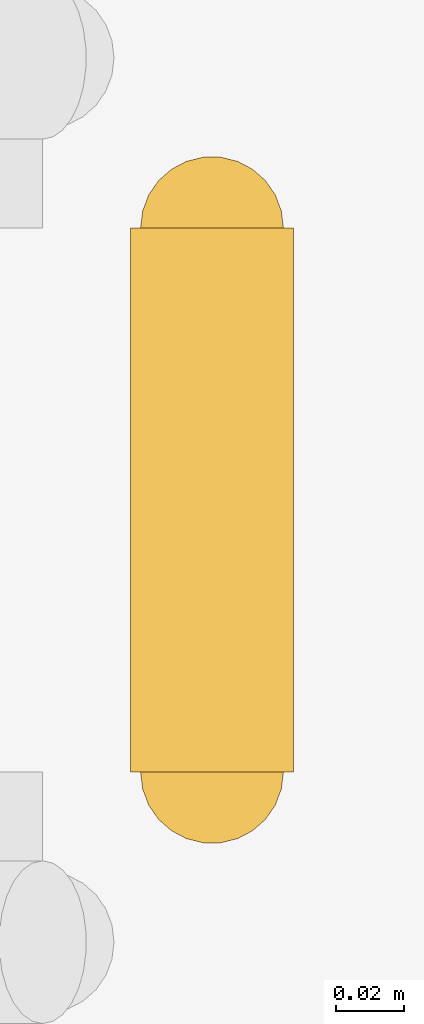
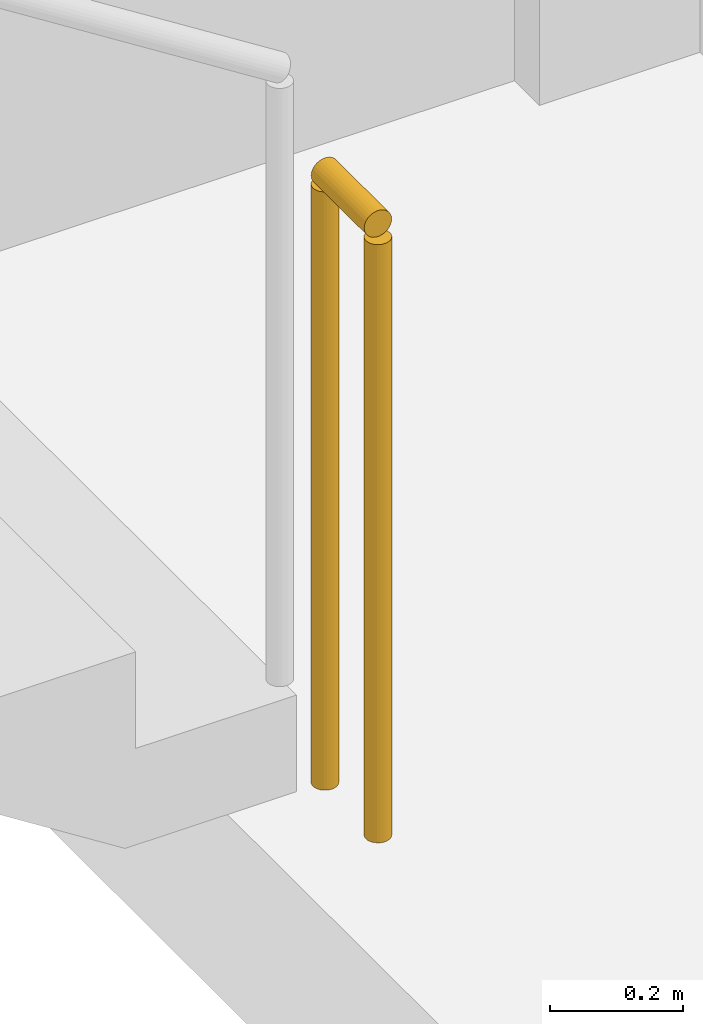
# One storey, part 18 of 20: 1 railing.
"""IFC4 building model written with IfcOpenShell, lengths in metres."""

import ifcopenshell
import ifcopenshell.guid

model = None  # the IFC model being written
_history = None  # IfcOwnerHistory: only IFC2X3 demands one
_inside = {}  # id of a spatial element -> (the spatial element, [elements in it])
_under = {}  # id of a project, library or spatial element -> (it, [spatial elements below it])
_declared = {}  # id of a project -> (the project, [libraries it declares])
_typed = {}  # id of a type object -> (the type object, [elements of that type])
_made_of = {}  # id of a material, layer set ... -> (it, [elements and type objects made of it])


def new_model(schema):
    """Start an empty IFC model of exactly this schema.

    Asked for "IFC4X3", IfcOpenShell would pick the latest addendum, in which some entities
    have other attributes; the version numbers below select the first issue.
    IFC2X3 requires an IfcOwnerHistory on every rooted entity: one is made here for all.
    """
    global model, _history
    if schema == "IFC4X3":
        model = ifcopenshell.file(schema_version=(4, 3, 0, 0))
    else:
        model = ifcopenshell.file(schema=schema)
    _inside.clear()
    _under.clear()
    _declared.clear()
    _typed.clear()
    _made_of.clear()
    _history = None
    if model.schema == "IFC2X3":
        org = make("IfcOrganization", Name="unknown")
        user = make(
            "IfcPersonAndOrganization",
            ThePerson=make("IfcPerson", FamilyName="unknown"),
            TheOrganization=org,
        )
        app = make(
            "IfcApplication",
            ApplicationDeveloper=org,
            Version="unknown",
            ApplicationFullName="unknown",
            ApplicationIdentifier="unknown",
        )
        _history = make(
            "IfcOwnerHistory",
            OwningUser=user,
            OwningApplication=app,
            ChangeAction="ADDED",
            CreationDate=0,
        )
    return model


def make(cls, **values):
    """One entity of the class cls with the attributes given. An attribute that is None is left unset."""
    return model.create_entity(
        cls, **{name: value for name, value in values.items() if value is not None}
    )


def rooted(cls, **values):
    """An entity with a GlobalId (a new one), such as an element, a storey or a relation."""
    return make(cls, GlobalId=ifcopenshell.guid.new(), OwnerHistory=_history, **values)


def si_unit(unit_type, name, prefix=None):
    """IfcSIUnit, for example si_unit("LENGTHUNIT", "METRE", prefix="MILLI")."""
    return make("IfcSIUnit", UnitType=unit_type, Prefix=prefix, Name=name)


def assignment(units):
    """IfcUnitAssignment: the units of a project."""
    return None if units is None else make("IfcUnitAssignment", Units=units)


def point(xyz):
    """IfcCartesianPoint."""
    return None if xyz is None else make("IfcCartesianPoint", Coordinates=xyz)


def direction(xyz):
    """IfcDirection."""
    return None if xyz is None else make("IfcDirection", DirectionRatios=xyz)


def frame(location, z_axis=None, x_axis=None):
    """IfcAxis2Placement3D, a coordinate frame: its origin and axes. An axis left out is left unset."""
    return make(
        "IfcAxis2Placement3D",
        Location=point(location),
        Axis=direction(z_axis),
        RefDirection=direction(x_axis),
    )


def frame_2d(location, x_axis=None):
    """IfcAxis2Placement2D, a coordinate frame in the plane: its origin and x axis."""
    return make(
        "IfcAxis2Placement2D", Location=point(location), RefDirection=direction(x_axis)
    )


def origin():
    """The frame at (0, 0, 0) with its axes left unset."""
    return frame((0.0, 0.0, 0.0))


def origin_2d():
    """The frame at (0, 0) in the plane with its x axis left unset."""
    return frame_2d((0.0, 0.0))


def place(relative_to, where):
    """IfcLocalPlacement: puts the frame where relative to a parent placement (None: the world)."""
    return make(
        "IfcLocalPlacement", PlacementRelTo=relative_to, RelativePlacement=where
    )


def context(
    kind, dimensions, precision=None, world=None, true_north=None, identifier=None
):
    """IfcGeometricRepresentationContext, for example the 3D "Model" context."""
    return make(
        "IfcGeometricRepresentationContext",
        ContextIdentifier=identifier,
        ContextType=kind,
        CoordinateSpaceDimension=dimensions,
        Precision=precision,
        WorldCoordinateSystem=world,
        TrueNorth=true_north,
    )


def subcontext(parent, identifier, kind, view, scale=None):
    """IfcGeometricRepresentationSubContext, for example "Body" below "Model"."""
    return make(
        "IfcGeometricRepresentationSubContext",
        ContextIdentifier=identifier,
        ContextType=kind,
        ParentContext=parent,
        TargetScale=scale,
        TargetView=view,
    )


def project(units=None, contexts=None):
    """IfcProject with its units and contexts."""
    return rooted(
        "IfcProject",
        Name="project",
        RepresentationContexts=contexts,
        UnitsInContext=assignment(units),
    )


def spatial(cls, under=None, at=None, **own):
    """A site, building, storey or space (cls), placed at a placement, below another one or the project."""
    s = rooted(cls, ObjectPlacement=at, **own)
    if under is not None:
        _under.setdefault(under.id(), (under, []))[1].append(s)
    return s


def profile(cls, at=None, kind="AREA", **sizes):
    """A parametric profile (cls). Its sizes go by their IFC names, for example OverallWidth=200.0."""
    return make(cls, ProfileType=kind, Position=at, **sizes)


def circle(**sizes):
    """IfcCircleProfileDef."""
    return profile("IfcCircleProfileDef", **sizes)


def extrude(swept, where, along, depth):
    """IfcExtrudedAreaSolid: the profile swept, set in the frame where, extruded along a direction by depth."""
    return make(
        "IfcExtrudedAreaSolid",
        SweptArea=swept,
        Position=where,
        ExtrudedDirection=direction(along),
        Depth=depth,
    )


def shape(context_of_items, identifier, shape_type, items):
    """IfcShapeRepresentation: the items that make up one representation, for example the "Body"."""
    return make(
        "IfcShapeRepresentation",
        ContextOfItems=context_of_items,
        RepresentationIdentifier=identifier,
        RepresentationType=shape_type,
        Items=items,
    )


def material(Name=None, Category=None):
    """IfcMaterial."""
    return make("IfcMaterial", Name=Name, Category=Category)


def made_of(thing, what):
    """Note that an element or type object is made of a material, layer set ...; save() writes the relation."""
    if what is not None:
        _made_of.setdefault(what.id(), (what, []))[1].append(thing)
    return thing


def type_object(cls, material=None, **own):
    """A type object (cls), such as IfcWallType, which elements share."""
    return made_of(rooted(cls, **own), material)


def element(
    cls,
    number,
    at=None,
    inside=None,
    cuts=None,
    type_object=None,
    material=None,
    context=None,
    identifier="Body",
    shape_type=None,
    held_by="IfcProductDefinitionShape",
    body=None,
    shapes=None,
    **own,
):
    """One element of the class cls, such as IfcWall. Its Tag is "e" and its number.

    at: its placement. inside: the storey or other place that contains it. cuts: it is an
    opening in that element (IfcRelVoidsElement). A single representation is given by context,
    identifier, shape_type and body (its items); several are given by shapes. held_by: the class
    of the entity that holds the representations. save() writes the other relations.
    """
    e = rooted(cls, Tag="e%d" % number, ObjectPlacement=at, **own)
    if body is not None:
        shapes = [shape(context, identifier, shape_type, body)]
    if shapes is not None:
        e.Representation = make(held_by, Representations=shapes)
    if inside is not None:
        _inside.setdefault(inside.id(), (inside, []))[1].append(e)
    if cuts is not None:
        rooted(
            "IfcRelVoidsElement", RelatingBuildingElement=cuts, RelatedOpeningElement=e
        )
    if type_object is not None:
        _typed.setdefault(type_object.id(), (type_object, []))[1].append(e)
    return made_of(e, material)


def aggregate(whole, parts):
    """IfcRelAggregates: a whole, such as a stair, and the parts it consists of."""
    return rooted("IfcRelAggregates", RelatingObject=whole, RelatedObjects=parts)


def save(model, path):
    """Write the relations noted so far, then the file.

    IfcRelAggregates (storeys below a building ...), IfcRelContainedInSpatialStructure (elements
    in a storey), IfcRelDefinesByType, IfcRelAssociatesMaterial and IfcRelDeclares: one each for
    every whole, place, type object, material and project.
    """
    for whole, parts in _under.values():
        aggregate(whole, parts)
    for where, things in _inside.values():
        rooted(
            "IfcRelContainedInSpatialStructure",
            RelatedElements=things,
            RelatingStructure=where,
        )
    for kind, things in _typed.values():
        rooted("IfcRelDefinesByType", RelatedObjects=things, RelatingType=kind)
    for what, things in _made_of.values():
        rooted("IfcRelAssociatesMaterial", RelatedObjects=things, RelatingMaterial=what)
    for by, libraries in _declared.values():
        rooted("IfcRelDeclares", RelatingContext=by, RelatedDefinitions=libraries)
    model.write(path)


model = new_model("IFC4")

# Units and contexts
model_context = context("Model", 3, precision=1e-05, world=origin(), true_north=direction((0.0, 1.0)))
body_context = subcontext(model_context, "Body", "Model", "MODEL_VIEW")
ifc_project = project(units=[si_unit("LENGTHUNIT", "METRE"), si_unit("AREAUNIT", "SQUARE_METRE"), si_unit("VOLUMEUNIT", "CUBIC_METRE"), si_unit("PLANEANGLEUNIT", "RADIAN"), si_unit("MASSUNIT", "GRAM", prefix="KILO")], contexts=[model_context])

# Site, building, storey
site_placement = place(None, origin())
site = spatial("IfcSite", under=ifc_project, at=site_placement, CompositionType="ELEMENT")
building_placement = place(site_placement, origin())
building = spatial("IfcBuilding", under=site, at=building_placement, Name="Drelvath Grand Hotel", CompositionType="ELEMENT")
storey_placement = place(building_placement, frame((0.0, 0.0, 10.800048828125)))
storey = spatial("IfcBuildingStorey", under=building, at=storey_placement, Name="L02", CompositionType="ELEMENT", Elevation=10.800048828125)

# Railing
ifc_material = material(Name="Painted Steel S275", Category="steel")
railing_type = type_object("IfcRailingType", Name="Core Stair Well Guardrail 1100", PredefinedType="GUARDRAIL", material=ifc_material)
railing_placement = place(storey_placement, frame((6.64990234375, 26.679931640625, 0.0)))
element("IfcRailing", 1, at=railing_placement, inside=storey, type_object=railing_type, Name="L02 ST-2 stair guard 4", PredefinedType="GUARDRAIL", context=body_context, shape_type="SweptSolid", body=[
    extrude(circle(Radius=0.02392578125, at=origin_2d()), frame((0.0, 0.0, 1.1259765625), z_axis=(0.0, -1.0, 0.0), x_axis=(1.0, 0.0, 0.0)), (0.0, 0.0, 1.0), 0.159912109375),
    extrude(circle(Radius=0.02099609375, at=origin_2d()), origin(), (0.0, 0.0, 1.0), 1.101806640625),
    extrude(circle(Radius=0.02099609375, at=origin_2d()), frame((0.0, -0.159912109375, 0.0)), (0.0, 0.0, 1.0), 1.101806640625),
])

save(model, "model.ifc")
